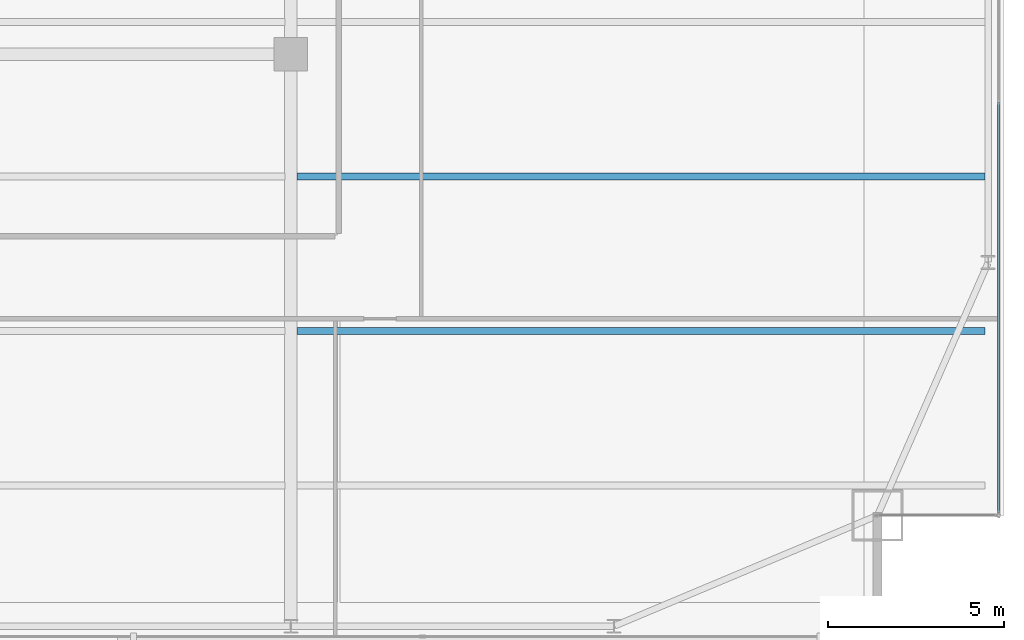
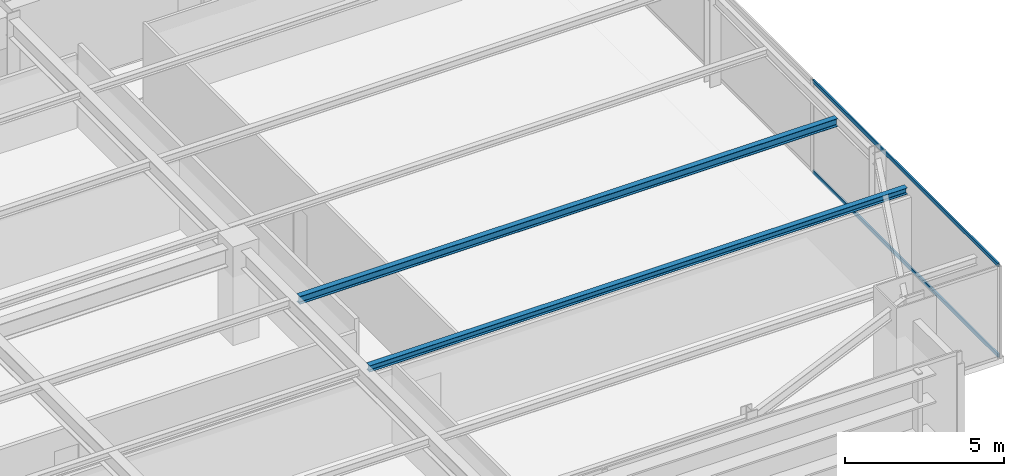
# One storey, part 17 of 30: 2 beams, 2 members, 1 element without a shape of its own.
"""IFC4 building model written with IfcOpenShell, lengths in metres."""

from ifc_helpers import new_model, si_unit, direction, frame, origin, origin_2d, place, context, subcontext, project, spatial, hollow_rectangle, i_section, extrude, source, transform, mapped, material, layer, layer_set, material_profile, profile_set, type_object, type_shapes, element, aggregate, save


model = new_model("IFC4")

# Units and contexts
model_context = context("Model", 3, precision=1e-05, world=origin(), true_north=direction((0.0, 1.0)))
body_context = subcontext(model_context, "Body", "Model", "MODEL_VIEW")
ifc_project = project(units=[si_unit("LENGTHUNIT", "METRE"), si_unit("AREAUNIT", "SQUARE_METRE"), si_unit("VOLUMEUNIT", "CUBIC_METRE"), si_unit("PLANEANGLEUNIT", "RADIAN"), si_unit("MASSUNIT", "GRAM", prefix="KILO")], contexts=[model_context])

# Site, building, storey
site_placement = place(None, origin())
site = spatial("IfcSite", under=ifc_project, at=site_placement, CompositionType="ELEMENT")
building_placement = place(site_placement, origin())
building = spatial("IfcBuilding", under=site, at=building_placement, Name="Varnel Quay Broadcast Tower", CompositionType="ELEMENT")
storey_placement = place(building_placement, frame((0.0, 0.0, 122.0)))
storey = spatial("IfcBuildingStorey", under=building, at=storey_placement, Name="L29", CompositionType="ELEMENT", Elevation=122.0)

# Beams
ifc_material_1 = material(Name="Structural Steel CSA G40.21 350W", Category="steel")
ifc_material_profile_1 = material_profile(ifc_material_1, i_section(OverallWidth=0.202880859375, OverallDepth=0.302978515625, WebThickness=0.007568359375, FlangeThickness=0.01318359375, FilletRadius=0.011962890625, at=origin_2d()), Name="W310X60")
ifc_profile_set_1 = profile_set([ifc_material_profile_1], Name="Structural Steel CSA G40.21 350W")
beam_type_1 = type_object("IfcBeamType", Name="Beam_W310X60", PredefinedType="JOIST", material=ifc_profile_set_1)
shared_shape_1 = source(origin(), body_context, "Body", "SweptSolid", [
    extrude(i_section(OverallWidth=0.202880859375, OverallDepth=0.302978515625, WebThickness=0.007568359375, FlangeThickness=0.01318359375, FilletRadius=0.011962890625, at=origin_2d()), origin(), (0.0, 0.0, 1.0), 19.592041015625),
])
type_shapes(beam_type_1, [shared_shape_1])
beam_1_placement = place(storey_placement, frame((43.37255859375, 17.449951171875, 3.3984375), z_axis=(1.0, 0.0, 0.0), x_axis=(0.0, 1.0, 0.0)))
element("IfcBeam", 1, at=beam_1_placement, inside=storey, type_object=beam_type_1, Name="L29 East Floor Joist 3", PredefinedType="JOIST", context=body_context, shape_type="MappedRepresentation", body=[
    mapped(shared_shape_1, transform((0.0, 0.0, 0.0), x_axis=(1.0, 0.0, 0.0), y_axis=(0.0, 1.0, 0.0), z_axis=(0.0, 0.0, 1.0), scale=1.0)),
])
ifc_material_profile_2 = material_profile(ifc_material_1, i_section(OverallWidth=0.201904296875, OverallDepth=0.2470703125, WebThickness=0.00732421875, FlangeThickness=0.010986328125, FilletRadius=0.010986328125, at=origin_2d()), Name="W250X49")
ifc_profile_set_2 = profile_set([ifc_material_profile_2], Name="Structural Steel CSA G40.21 350W")
beam_type_2 = type_object("IfcBeamType", Name="Beam_W250X49", PredefinedType="JOIST", material=ifc_profile_set_2)
shared_shape_2 = source(origin(), body_context, "Body", "SweptSolid", [
    extrude(i_section(OverallWidth=0.201904296875, OverallDepth=0.2470703125, WebThickness=0.00732421875, FlangeThickness=0.010986328125, FilletRadius=0.010986328125, at=origin_2d()), origin(), (0.0, 0.0, 1.0), 19.592041015625),
])
type_shapes(beam_type_2, [shared_shape_2])
beam_2_placement = place(storey_placement, frame((43.37255859375, 13.050048828125, 3.426513671875), z_axis=(1.0, 0.0, 0.0), x_axis=(0.0, 1.0, 0.0)))
element("IfcBeam", 2, at=beam_2_placement, inside=storey, type_object=beam_type_2, Name="L29 East Floor Joist 2", PredefinedType="JOIST", context=body_context, shape_type="MappedRepresentation", body=[
    mapped(shared_shape_2, transform((0.0, 0.0, 0.0), x_axis=(1.0, 0.0, 0.0), y_axis=(0.0, 1.0, 0.0), z_axis=(0.0, 0.0, 1.0), scale=1.0)),
])

# Curtain wall, members
ifc_material_2 = material(Name="Anodised Bronze Aluminium 6063-T6", Category="aluminium")
ifc_layer = layer(ifc_material_2, 0.18994140625, Name="Anodised Bronze Aluminium 6063-T6")
ifc_layer_set = layer_set([ifc_layer], Name="Anodised Bronze Aluminium 6063-T6")
curtain_wall_type = type_object("IfcCurtainWallType", Name="CW_LowerTower", PredefinedType="NOTDEFINED", material=ifc_layer_set)
curtain_wall_placement = place(storey_placement, origin())
curtain_wall = element("IfcCurtainWall", 3, at=curtain_wall_placement, inside=storey, type_object=curtain_wall_type, Name="L29 East Unitised Curtain Wall", PredefinedType="NOTDEFINED")
ifc_material_profile_3 = material_profile(ifc_material_2, hollow_rectangle(XDim=0.06005859375, YDim=0.14501953125, WallThickness=0.00341796875, at=origin_2d()), Name="ALU60X145X3.5")
ifc_profile_set_3 = profile_set([ifc_material_profile_3], Name="Anodised Bronze Aluminium 6063-T6")
member_type = type_object("IfcMemberType", Name="Tran_CWS-02", PredefinedType="USERDEFINED", material=ifc_profile_set_3)
shared_shape_3 = source(origin(), body_context, "Body", "SweptSolid", [
    extrude(hollow_rectangle(XDim=0.06005859375, YDim=0.14501953125, WallThickness=0.00341796875, at=origin_2d()), origin(), (0.0, 0.0, 1.0), 11.69482421875),
])
type_shapes(member_type, [shared_shape_3])
member_1_placement = place(storey_placement, frame((63.35009765625, 7.8701171875, 0.030029296875), z_axis=(0.0, 1.0, 0.0), x_axis=(-1.0, 0.0, 0.0)))
member_1 = element("IfcMember", 4, at=member_1_placement, type_object=member_type, Name="CWS-02 transom 1.1", ObjectType="TRANSOM", PredefinedType="USERDEFINED", context=body_context, shape_type="MappedRepresentation", body=[
    mapped(shared_shape_3, transform((0.0, 0.0, 0.0), x_axis=(1.0, 0.0, 0.0), y_axis=(0.0, 1.0, 0.0), z_axis=(0.0, 0.0, 1.0), scale=1.0)),
])
member_2_placement = place(storey_placement, frame((63.35009765625, 7.8701171875, 3.52001953125), z_axis=(0.0, 1.0, 0.0), x_axis=(-1.0, 0.0, 0.0)))
member_2 = element("IfcMember", 5, at=member_2_placement, type_object=member_type, Name="CWS-02 transom 1.2", ObjectType="TRANSOM", PredefinedType="USERDEFINED", context=body_context, shape_type="MappedRepresentation", body=[
    mapped(shared_shape_3, transform((0.0, 0.0, 0.0), x_axis=(1.0, 0.0, 0.0), y_axis=(0.0, 1.0, 0.0), z_axis=(0.0, 0.0, 1.0), scale=1.0)),
])
aggregate(curtain_wall, [member_1, member_2])

save(model, "model.ifc")
